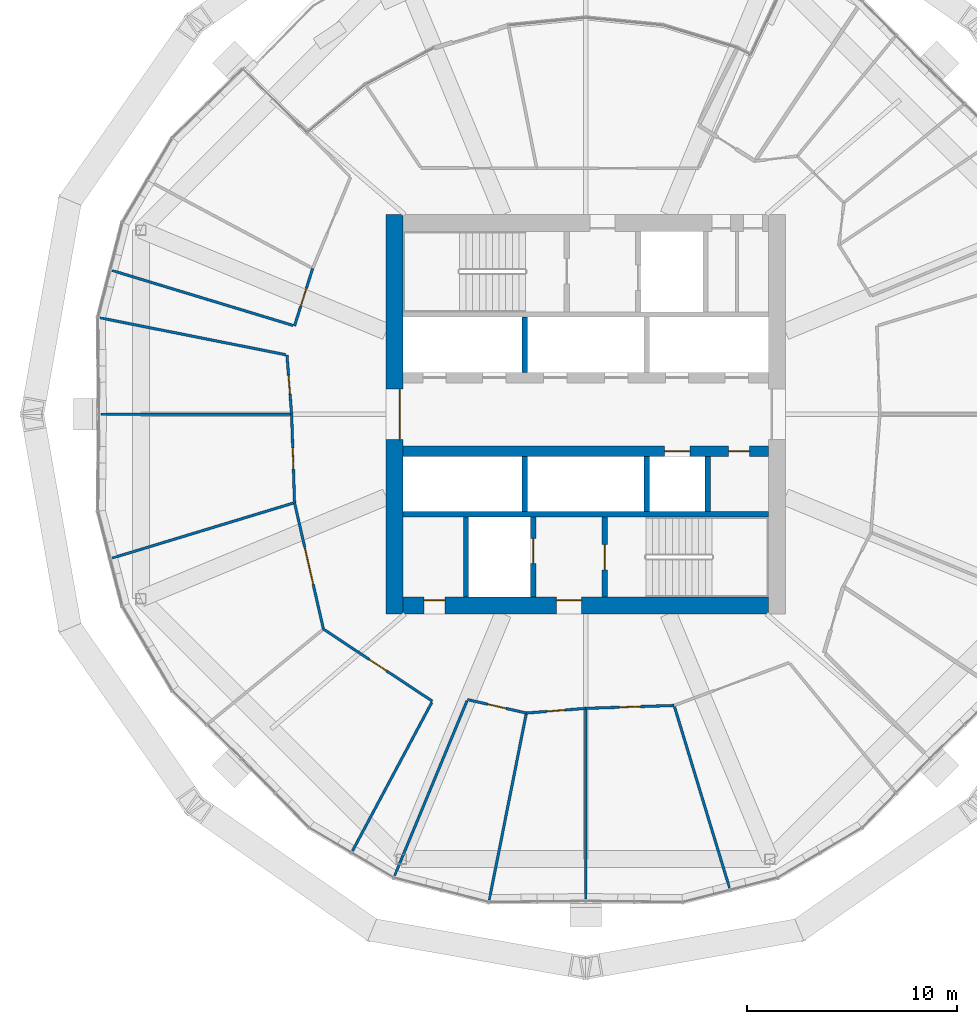
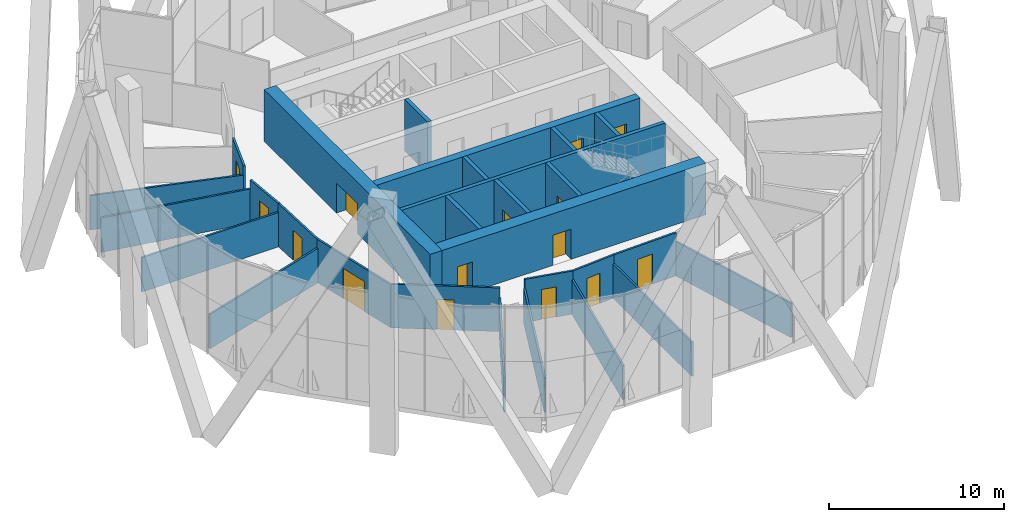
# One storey, part 22 of 31: 28 walls, 15 doors, 15 openings.
"""IFC4 building model written with IfcOpenShell, lengths in metres."""

import ifcopenshell
import ifcopenshell.guid

model = None  # the IFC model being written
_history = None  # IfcOwnerHistory: only IFC2X3 demands one
_inside = {}  # id of a spatial element -> (the spatial element, [elements in it])
_under = {}  # id of a project, library or spatial element -> (it, [spatial elements below it])
_declared = {}  # id of a project -> (the project, [libraries it declares])
_typed = {}  # id of a type object -> (the type object, [elements of that type])
_made_of = {}  # id of a material, layer set ... -> (it, [elements and type objects made of it])


def new_model(schema):
    """Start an empty IFC model of exactly this schema.

    Asked for "IFC4X3", IfcOpenShell would pick the latest addendum, in which some entities
    have other attributes; the version numbers below select the first issue.
    IFC2X3 requires an IfcOwnerHistory on every rooted entity: one is made here for all.
    """
    global model, _history
    if schema == "IFC4X3":
        model = ifcopenshell.file(schema_version=(4, 3, 0, 0))
    else:
        model = ifcopenshell.file(schema=schema)
    _inside.clear()
    _under.clear()
    _declared.clear()
    _typed.clear()
    _made_of.clear()
    _history = None
    if model.schema == "IFC2X3":
        org = make("IfcOrganization", Name="unknown")
        user = make(
            "IfcPersonAndOrganization",
            ThePerson=make("IfcPerson", FamilyName="unknown"),
            TheOrganization=org,
        )
        app = make(
            "IfcApplication",
            ApplicationDeveloper=org,
            Version="unknown",
            ApplicationFullName="unknown",
            ApplicationIdentifier="unknown",
        )
        _history = make(
            "IfcOwnerHistory",
            OwningUser=user,
            OwningApplication=app,
            ChangeAction="ADDED",
            CreationDate=0,
        )
    return model


def make(cls, **values):
    """One entity of the class cls with the attributes given. An attribute that is None is left unset."""
    return model.create_entity(
        cls, **{name: value for name, value in values.items() if value is not None}
    )


def rooted(cls, **values):
    """An entity with a GlobalId (a new one), such as an element, a storey or a relation."""
    return make(cls, GlobalId=ifcopenshell.guid.new(), OwnerHistory=_history, **values)


def si_unit(unit_type, name, prefix=None):
    """IfcSIUnit, for example si_unit("LENGTHUNIT", "METRE", prefix="MILLI")."""
    return make("IfcSIUnit", UnitType=unit_type, Prefix=prefix, Name=name)


def assignment(units):
    """IfcUnitAssignment: the units of a project."""
    return None if units is None else make("IfcUnitAssignment", Units=units)


def point(xyz):
    """IfcCartesianPoint."""
    return None if xyz is None else make("IfcCartesianPoint", Coordinates=xyz)


def direction(xyz):
    """IfcDirection."""
    return None if xyz is None else make("IfcDirection", DirectionRatios=xyz)


def frame(location, z_axis=None, x_axis=None):
    """IfcAxis2Placement3D, a coordinate frame: its origin and axes. An axis left out is left unset."""
    return make(
        "IfcAxis2Placement3D",
        Location=point(location),
        Axis=direction(z_axis),
        RefDirection=direction(x_axis),
    )


def frame_2d(location, x_axis=None):
    """IfcAxis2Placement2D, a coordinate frame in the plane: its origin and x axis."""
    return make(
        "IfcAxis2Placement2D", Location=point(location), RefDirection=direction(x_axis)
    )


def origin():
    """The frame at (0, 0, 0) with its axes left unset."""
    return frame((0.0, 0.0, 0.0))


def place(relative_to, where):
    """IfcLocalPlacement: puts the frame where relative to a parent placement (None: the world)."""
    return make(
        "IfcLocalPlacement", PlacementRelTo=relative_to, RelativePlacement=where
    )


def context(
    kind, dimensions, precision=None, world=None, true_north=None, identifier=None
):
    """IfcGeometricRepresentationContext, for example the 3D "Model" context."""
    return make(
        "IfcGeometricRepresentationContext",
        ContextIdentifier=identifier,
        ContextType=kind,
        CoordinateSpaceDimension=dimensions,
        Precision=precision,
        WorldCoordinateSystem=world,
        TrueNorth=true_north,
    )


def subcontext(parent, identifier, kind, view, scale=None):
    """IfcGeometricRepresentationSubContext, for example "Body" below "Model"."""
    return make(
        "IfcGeometricRepresentationSubContext",
        ContextIdentifier=identifier,
        ContextType=kind,
        ParentContext=parent,
        TargetScale=scale,
        TargetView=view,
    )


def project(units=None, contexts=None):
    """IfcProject with its units and contexts."""
    return rooted(
        "IfcProject",
        Name="project",
        RepresentationContexts=contexts,
        UnitsInContext=assignment(units),
    )


def spatial(cls, under=None, at=None, **own):
    """A site, building, storey or space (cls), placed at a placement, below another one or the project."""
    s = rooted(cls, ObjectPlacement=at, **own)
    if under is not None:
        _under.setdefault(under.id(), (under, []))[1].append(s)
    return s


def profile(cls, at=None, kind="AREA", **sizes):
    """A parametric profile (cls). Its sizes go by their IFC names, for example OverallWidth=200.0."""
    return make(cls, ProfileType=kind, Position=at, **sizes)


def rectangle(**sizes):
    """IfcRectangleProfileDef."""
    return profile("IfcRectangleProfileDef", **sizes)


def extrude(swept, where, along, depth):
    """IfcExtrudedAreaSolid: the profile swept, set in the frame where, extruded along a direction by depth."""
    return make(
        "IfcExtrudedAreaSolid",
        SweptArea=swept,
        Position=where,
        ExtrudedDirection=direction(along),
        Depth=depth,
    )


def shape(context_of_items, identifier, shape_type, items):
    """IfcShapeRepresentation: the items that make up one representation, for example the "Body"."""
    return make(
        "IfcShapeRepresentation",
        ContextOfItems=context_of_items,
        RepresentationIdentifier=identifier,
        RepresentationType=shape_type,
        Items=items,
    )


def material(Name=None, Category=None):
    """IfcMaterial."""
    return make("IfcMaterial", Name=Name, Category=Category)


def layer(
    of_material, thickness, ventilated=None, Name=None, Category=None, Priority=None
):
    """IfcMaterialLayer: one layer of a wall or slab, of a material (None: an air gap)."""
    return make(
        "IfcMaterialLayer",
        Material=of_material,
        LayerThickness=thickness,
        IsVentilated=ventilated,
        Name=Name,
        Category=Category,
        Priority=Priority,
    )


def layer_set(layers, Name=None):
    """IfcMaterialLayerSet."""
    return make("IfcMaterialLayerSet", MaterialLayers=layers, LayerSetName=Name)


def made_of(thing, what):
    """Note that an element or type object is made of a material, layer set ...; save() writes the relation."""
    if what is not None:
        _made_of.setdefault(what.id(), (what, []))[1].append(thing)
    return thing


def type_object(cls, material=None, **own):
    """A type object (cls), such as IfcWallType, which elements share."""
    return made_of(rooted(cls, **own), material)


def element(
    cls,
    number,
    at=None,
    inside=None,
    cuts=None,
    type_object=None,
    material=None,
    context=None,
    identifier="Body",
    shape_type=None,
    held_by="IfcProductDefinitionShape",
    body=None,
    shapes=None,
    **own,
):
    """One element of the class cls, such as IfcWall. Its Tag is "e" and its number.

    at: its placement. inside: the storey or other place that contains it. cuts: it is an
    opening in that element (IfcRelVoidsElement). A single representation is given by context,
    identifier, shape_type and body (its items); several are given by shapes. held_by: the class
    of the entity that holds the representations. save() writes the other relations.
    """
    e = rooted(cls, Tag="e%d" % number, ObjectPlacement=at, **own)
    if body is not None:
        shapes = [shape(context, identifier, shape_type, body)]
    if shapes is not None:
        e.Representation = make(held_by, Representations=shapes)
    if inside is not None:
        _inside.setdefault(inside.id(), (inside, []))[1].append(e)
    if cuts is not None:
        rooted(
            "IfcRelVoidsElement", RelatingBuildingElement=cuts, RelatedOpeningElement=e
        )
    if type_object is not None:
        _typed.setdefault(type_object.id(), (type_object, []))[1].append(e)
    return made_of(e, material)


def fill(opening, filler):
    """IfcRelFillsElement: the door or window that sits in an opening."""
    return rooted(
        "IfcRelFillsElement",
        RelatingOpeningElement=opening,
        RelatedBuildingElement=filler,
    )


def aggregate(whole, parts):
    """IfcRelAggregates: a whole, such as a stair, and the parts it consists of."""
    return rooted("IfcRelAggregates", RelatingObject=whole, RelatedObjects=parts)


def save(model, path):
    """Write the relations noted so far, then the file.

    IfcRelAggregates (storeys below a building ...), IfcRelContainedInSpatialStructure (elements
    in a storey), IfcRelDefinesByType, IfcRelAssociatesMaterial and IfcRelDeclares: one each for
    every whole, place, type object, material and project.
    """
    for whole, parts in _under.values():
        aggregate(whole, parts)
    for where, things in _inside.values():
        rooted(
            "IfcRelContainedInSpatialStructure",
            RelatedElements=things,
            RelatingStructure=where,
        )
    for kind, things in _typed.values():
        rooted("IfcRelDefinesByType", RelatedObjects=things, RelatingType=kind)
    for what, things in _made_of.values():
        rooted("IfcRelAssociatesMaterial", RelatedObjects=things, RelatingMaterial=what)
    for by, libraries in _declared.values():
        rooted("IfcRelDeclares", RelatingContext=by, RelatedDefinitions=libraries)
    model.write(path)


model = new_model("IFC4")

# Units and contexts
model_context = context("Model", 3, precision=1e-05, world=origin(), true_north=direction((0.0, 1.0)))
body_context = subcontext(model_context, "Body", "Model", "MODEL_VIEW")
ifc_project = project(units=[si_unit("LENGTHUNIT", "METRE"), si_unit("AREAUNIT", "SQUARE_METRE"), si_unit("VOLUMEUNIT", "CUBIC_METRE"), si_unit("PLANEANGLEUNIT", "RADIAN"), si_unit("MASSUNIT", "GRAM", prefix="KILO")], contexts=[model_context])

# Site, building, storey
site_placement = place(None, origin())
site = spatial("IfcSite", under=ifc_project, at=site_placement, CompositionType="ELEMENT")
building_placement = place(site_placement, origin())
building = spatial("IfcBuilding", under=site, at=building_placement, Name="Ogive Gate Towers", CompositionType="ELEMENT")
storey_placement = place(building_placement, frame((0.0, 0.0, 55.800048828125)))
storey = spatial("IfcBuildingStorey", under=building, at=storey_placement, Name="L12", CompositionType="ELEMENT", Elevation=55.800048828125)

# Wall, openings, doors
ifc_material_1 = material(Name="Concrete C60/75", Category="concrete")
ifc_layer_1 = layer(ifc_material_1, 0.800048828125)
ifc_layer_set_1 = layer_set([ifc_layer_1], Name="Core wall 800 mm")
wall_type_1 = type_object("IfcWallType", Name="Core wall 800 mm", PredefinedType="SHEAR", material=ifc_layer_set_1)
wall_1_placement = place(storey_placement, frame((-44.699951171875, -9.10009765625, 0.0), z_axis=(0.0, 0.0, 1.0), x_axis=(1.0, 0.0, 0.0)))
wall_1 = element("IfcWall", 1, at=wall_1_placement, inside=storey, type_object=wall_type_1, Name="T1 L12 Core wall 800 mm", PredefinedType="SHEAR", context=body_context, shape_type="SweptSolid", body=[
    extrude(rectangle(XDim=17.39990234375, YDim=0.800048828125, at=frame_2d((8.699951171875, 0.0))), origin(), (0.0, 0.0, 1.0), 3.599853515625),
])
opening_1_placement = place(wall_1_placement, frame((7.300048828125, 0.0, 0.0)))
opening_1 = element("IfcOpeningElement", 2, at=opening_1_placement, cuts=wall_1, Name="Opening KD-T1-L12-16", PredefinedType="OPENING", context=body_context, shape_type="SweptSolid", body=[
    extrude(rectangle(XDim=1.199951171875, YDim=2.10009765625, at=frame_2d((0.60009765625, 1.050048828125))), frame((0.0, 0.41015625, 0.0), z_axis=(0.0, -1.0, 0.0), x_axis=(1.0, 0.0, 0.0)), (0.0, 0.0, 1.0), 0.820068359375),
])
opening_2_placement = place(wall_1_placement, frame((1.0, 0.0, 0.0)))
opening_2 = element("IfcOpeningElement", 3, at=opening_2_placement, cuts=wall_1, Name="Opening KD-T1-L12-19", PredefinedType="OPENING", context=body_context, shape_type="SweptSolid", body=[
    extrude(rectangle(XDim=1.0, YDim=2.10009765625, at=frame_2d((0.5, 1.050048828125))), frame((0.0, 0.41015625, 0.0), z_axis=(0.0, -1.0, 0.0), x_axis=(1.0, 0.0, 0.0)), (0.0, 0.0, 1.0), 0.820068359375),
])
ifc_material_2 = material(Name="Timber door", Category="wood")
door_type_1 = type_object("IfcDoorType", Name="Accessible WC door 1000 x 2100", OperationType="NOTDEFINED", PredefinedType="DOOR", material=ifc_material_2)
door_1_placement = place(opening_2_placement, origin())
door_1 = element("IfcDoor", 4, at=door_1_placement, inside=storey, type_object=door_type_1, Name="T1 L12 Core door", OperationType="SINGLE_SWING_RIGHT", OverallHeight=2.10009765625, OverallWidth=1.0, PredefinedType="DOOR", context=body_context, shape_type="SweptSolid", body=[
    extrude(rectangle(XDim=1.0, YDim=2.10009765625, at=frame_2d((0.5, 1.050048828125))), frame((0.0, 0.27490234375, 0.0), z_axis=(0.0, -1.0, 0.0), x_axis=(1.0, 0.0, 0.0)), (0.0, 0.0, 1.0), 0.050048828125),
])
fill(opening_2, door_1)
ifc_material_3 = material(Name="Steel fire door", Category="steel")
door_type_2 = type_object("IfcDoorType", Name="Core door FD60S 1200 x 2100", OperationType="NOTDEFINED", PredefinedType="DOOR", material=ifc_material_3)
door_2_placement = place(opening_1_placement, origin())
door_2 = element("IfcDoor", 5, at=door_2_placement, inside=storey, type_object=door_type_2, Name="T1 L12 Fire-fighting lobby door", OperationType="SINGLE_SWING_LEFT", OverallHeight=2.10009765625, OverallWidth=1.199951171875, PredefinedType="DOOR", context=body_context, shape_type="SweptSolid", body=[
    extrude(rectangle(XDim=1.199951171875, YDim=2.10009765625, at=frame_2d((0.60009765625, 1.050048828125))), frame((0.0, 0.27490234375, 0.0), z_axis=(0.0, -1.0, 0.0), x_axis=(1.0, 0.0, 0.0)), (0.0, 0.0, 1.0), 0.050048828125),
])
fill(opening_1, door_2)

# Wall, opening, door
wall_2_placement = place(storey_placement, frame((-45.10009765625, -9.5, 0.0), z_axis=(0.0, 0.0, 1.0), x_axis=(0.0, 1.0, 0.0)))
wall_2 = element("IfcWall", 6, at=wall_2_placement, inside=storey, type_object=wall_type_1, Name="T1 L12 Core wall 800 mm", PredefinedType="SHEAR", context=body_context, shape_type="SweptSolid", body=[
    extrude(rectangle(XDim=19.0, YDim=0.800048828125, at=frame_2d((9.5, 0.0))), origin(), (0.0, 0.0, 1.0), 3.599853515625),
])
opening_3_placement = place(wall_2_placement, frame((8.300048828125, 0.0, 0.0)))
opening_3 = element("IfcOpeningElement", 7, at=opening_3_placement, cuts=wall_2, Name="Opening KD-T1-L12-01", PredefinedType="OPENING", context=body_context, shape_type="SweptSolid", body=[
    extrude(rectangle(XDim=2.39990234375, YDim=2.10009765625, at=frame_2d((1.199951171875, 1.050048828125))), frame((0.0, 0.41015625, 0.0), z_axis=(0.0, -1.0, 0.0), x_axis=(1.0, 0.0, 0.0)), (0.0, 0.0, 1.0), 0.820068359375),
])
door_type_3 = type_object("IfcDoorType", Name="Core double door FD60S 2400 x 2100", OperationType="DOUBLE_DOOR_SINGLE_SWING", PredefinedType="DOOR", material=ifc_material_3)
door_3_placement = place(opening_3_placement, origin())
door_3 = element("IfcDoor", 8, at=door_3_placement, inside=storey, type_object=door_type_3, Name="T1 L12 Core door double", OperationType="DOUBLE_DOOR_SINGLE_SWING", OverallHeight=2.10009765625, OverallWidth=2.39990234375, PredefinedType="DOOR", context=body_context, shape_type="SweptSolid", body=[
    extrude(rectangle(XDim=2.39990234375, YDim=2.10009765625, at=frame_2d((1.199951171875, 1.050048828125))), frame((0.0, -0.22509765625, 0.0), z_axis=(0.0, -1.0, 0.0), x_axis=(1.0, 0.0, 0.0)), (0.0, 0.0, 1.0), 0.050048828125),
])
fill(opening_3, door_3)

# Walls
ifc_material_4 = material(Name="Gypsum board partition")
ifc_layer_2 = layer(ifc_material_4, 0.125)
ifc_layer_set_2 = layer_set([ifc_layer_2], Name="Partition 125")
wall_type_2 = type_object("IfcWallType", Name="Partition 125", PredefinedType="PARTITIONING", material=ifc_layer_set_2)
for number, where, z_axis, x_axis, name in (
    (9, (-58.529541015625, 6.840576171875, 0.0), (0.0, 0.0, 1.0), (0.956863756585, -0.290537005102, 0.0), "Partition T1-L12-014"),
    (10, (-59.1083984375, 4.5888671875, 0.0), (0.0, 0.0, 1.0), (0.980849776387, -0.194765798235, 0.0), "Partition T1-L12-015"),
):
    element("IfcWall", number, at=place(storey_placement, frame(where, z_axis=z_axis, x_axis=x_axis)), inside=storey, type_object=wall_type_2, Name=name, PredefinedType="PARTITIONING", context=body_context, shape_type="SweptSolid", body=[
        extrude(rectangle(XDim=9.00634765625, YDim=0.125, at=frame_2d((4.503173828125, 0.0))), origin(), (0.0, 0.0, 1.0), 2.39990234375),
    ])
wall_3_placement = place(storey_placement, frame((-59.05908203125, 0.0, 0.0), z_axis=(0.0, 0.0, 1.0), x_axis=(1.0, 0.0, 0.0)))
element("IfcWall", 11, at=wall_3_placement, inside=storey, type_object=wall_type_2, Name="Partition T1-L12-016", PredefinedType="PARTITIONING", context=body_context, shape_type="SweptSolid", body=[
    extrude(rectangle(XDim=9.006591796875, YDim=0.125, at=frame_2d((4.50341796875, 0.0))), origin(), (0.0, 0.0, 1.0), 2.39990234375),
])
wall_4_placement = place(storey_placement, frame((-58.529541015625, -6.840576171875, 0.0), z_axis=(0.0, 0.0, 1.0), x_axis=(0.956863756585, 0.290537005102, 0.0)))
element("IfcWall", 12, at=wall_4_placement, inside=storey, type_object=wall_type_2, Name="Partition T1-L12-017", PredefinedType="PARTITIONING", context=body_context, shape_type="SweptSolid", body=[
    extrude(rectangle(XDim=9.00634765625, YDim=0.125, at=frame_2d((4.503173828125, 0.0))), origin(), (0.0, 0.0, 1.0), 2.39990234375),
])
wall_5_placement = place(storey_placement, frame((-47.09375, -20.767578125, 0.0), z_axis=(0.0, 0.0, 1.0), x_axis=(0.471189559969, 0.882031971402, 0.0)))
element("IfcWall", 13, at=wall_5_placement, inside=storey, type_object=wall_type_2, Name="Partition T1-L12-019", PredefinedType="PARTITIONING", context=body_context, shape_type="SweptSolid", body=[
    extrude(rectangle(XDim=8.00634765625, YDim=0.125, at=frame_2d((4.003173828125, 0.0))), origin(), (0.0, 0.0, 1.0), 2.39990234375),
])
for number, where, z_axis, x_axis, name in (
    (14, (-45.092529296875, -21.951416015625, 0.0), (0.0, 0.0, 1.0), (0.382678188575, 0.923881704543, 0.0), "Partition T1-L12-020"),
    (15, (-40.5888671875, -23.1083984375, 0.0), (0.0, 0.0, 1.0), (0.194765798235, 0.980849776387, 0.0), "Partition T1-L12-021"),
):
    element("IfcWall", number, at=place(storey_placement, frame(where, z_axis=z_axis, x_axis=x_axis)), inside=storey, type_object=wall_type_2, Name=name, PredefinedType="PARTITIONING", context=body_context, shape_type="SweptSolid", body=[
        extrude(rectangle(XDim=9.00634765625, YDim=0.125, at=frame_2d((4.503173828125, 0.0))), origin(), (0.0, 0.0, 1.0), 2.39990234375),
    ])
wall_6_placement = place(storey_placement, frame((-36.0, -23.05908203125, 0.0), z_axis=(0.0, 0.0, 1.0), x_axis=(0.0, 1.0, 0.0)))
element("IfcWall", 16, at=wall_6_placement, inside=storey, type_object=wall_type_2, Name="Partition T1-L12-022", PredefinedType="PARTITIONING", context=body_context, shape_type="SweptSolid", body=[
    extrude(rectangle(XDim=9.006591796875, YDim=0.125, at=frame_2d((4.50341796875, 0.0))), origin(), (0.0, 0.0, 1.0), 2.39990234375),
])
wall_7_placement = place(storey_placement, frame((-29.159423828125, -22.529541015625, 0.0), z_axis=(0.0, 0.0, 1.0), x_axis=(-0.290537005102, 0.956863756585, 0.0)))
element("IfcWall", 17, at=wall_7_placement, inside=storey, type_object=wall_type_2, Name="Partition T1-L12-023", PredefinedType="PARTITIONING", context=body_context, shape_type="SweptSolid", body=[
    extrude(rectangle(XDim=9.00634765625, YDim=0.125, at=frame_2d((4.503173828125, 0.0))), origin(), (0.0, 0.0, 1.0), 2.39990234375),
])

# Wall, opening, door
wall_8_placement = place(storey_placement, frame((-49.851806640625, 4.205810546875, 0.0), z_axis=(0.0, 0.0, 1.0), x_axis=(0.301082438892, 0.953598115031, 0.0)))
wall_8 = element("IfcWall", 18, at=wall_8_placement, inside=storey, type_object=wall_type_2, Name="Partition T1-L12-028", PredefinedType="PARTITIONING", context=body_context, shape_type="SweptSolid", body=[
    extrude(rectangle(XDim=2.86572265625, YDim=0.125, at=frame_2d((1.432861328125, 0.0))), origin(), (0.0, 0.0, 1.0), 3.010009765625),
])
opening_4_placement = place(wall_8_placement, frame((0.98291015625, 0.0, 0.0)))
opening_4 = element("IfcOpeningElement", 19, at=opening_4_placement, cuts=wall_8, Name="Opening T1-L12-D01", PredefinedType="OPENING", context=body_context, shape_type="SweptSolid", body=[
    extrude(rectangle(XDim=0.89990234375, YDim=2.10009765625, at=frame_2d((0.449951171875, 1.050048828125))), frame((0.0, 0.072509765625, 0.0), z_axis=(0.0, -1.0, 0.0), x_axis=(1.0, 0.0, 0.0)), (0.0, 0.0, 1.0), 0.14501953125),
])
door_type_4 = type_object("IfcDoorType", Name="Door 900", OperationType="NOTDEFINED", PredefinedType="DOOR", material=ifc_material_2)
door_4_placement = place(opening_4_placement, origin())
door_4 = element("IfcDoor", 20, at=door_4_placement, inside=storey, type_object=door_type_4, Name="Door T1-L12-D01", OperationType="SINGLE_SWING_LEFT", OverallHeight=2.10009765625, OverallWidth=0.89990234375, PredefinedType="DOOR", context=body_context, shape_type="SweptSolid", body=[
    extrude(rectangle(XDim=0.89990234375, YDim=2.10009765625, at=frame_2d((0.449951171875, 1.050048828125))), frame((0.0, 0.02490234375, 0.0), z_axis=(0.0, -1.0, 0.0), x_axis=(1.0, 0.0, 0.0)), (0.0, 0.0, 1.0), 0.050048828125),
])
fill(opening_4, door_4)

wall_9_placement = place(storey_placement, frame((-31.794189453125, -13.851806640625, 0.0), z_axis=(0.0, 0.0, 1.0), x_axis=(-0.999460697883, -0.032837682417, 0.0)))
wall_9 = element("IfcWall", 21, at=wall_9_placement, inside=storey, type_object=wall_type_2, Name="Partition T1-L12-042", PredefinedType="PARTITIONING", context=body_context, shape_type="SweptSolid", body=[
    extrude(rectangle(XDim=4.2080078125, YDim=0.125, at=frame_2d((2.10400390625, 0.0))), origin(), (0.0, 0.0, 1.0), 3.0),
])
opening_5_placement = place(wall_9_placement, frame((1.60400390625, 0.0, 0.0)))
opening_5 = element("IfcOpeningElement", 22, at=opening_5_placement, cuts=wall_9, Name="Opening T1-L12-D15", PredefinedType="OPENING", context=body_context, shape_type="SweptSolid", body=[
    extrude(rectangle(XDim=1.0, YDim=2.10009765625, at=frame_2d((0.5, 1.050048828125))), frame((0.0, 0.072509765625, 0.0), z_axis=(0.0, -1.0, 0.0), x_axis=(1.0, 0.0, 0.0)), (0.0, 0.0, 1.0), 0.14501953125),
])
door_type_5 = type_object("IfcDoorType", Name="Door 1000", OperationType="NOTDEFINED", PredefinedType="DOOR", material=ifc_material_2)
door_5_placement = place(opening_5_placement, origin())
door_5 = element("IfcDoor", 23, at=door_5_placement, inside=storey, type_object=door_type_5, Name="Door T1-L12-D15", OperationType="SINGLE_SWING_RIGHT", OverallHeight=2.10009765625, OverallWidth=1.0, PredefinedType="DOOR", context=body_context, shape_type="SweptSolid", body=[
    extrude(rectangle(XDim=1.0, YDim=2.10009765625, at=frame_2d((0.5, 1.050048828125))), frame((0.0, 0.02490234375, 0.0), z_axis=(0.0, -1.0, 0.0), x_axis=(1.0, 0.0, 0.0)), (0.0, 0.0, 1.0), 0.050048828125),
])
fill(opening_5, door_5)

wall_10_placement = place(storey_placement, frame((-36.0, -13.989990234375, 0.0), z_axis=(0.0, 0.0, 1.0), x_axis=(-0.996889418777, -0.078812985794, 0.0)))
wall_10 = element("IfcWall", 24, at=wall_10_placement, inside=storey, type_object=wall_type_2, Name="Partition T1-L12-043", PredefinedType="PARTITIONING", context=body_context, shape_type="SweptSolid", body=[
    extrude(rectangle(XDim=2.831298828125, YDim=0.125, at=frame_2d((1.41552734375, 0.0))), origin(), (0.0, 0.0, 1.0), 3.0),
])
opening_6_placement = place(wall_10_placement, frame((0.966064453125, 0.0, 0.0)))
opening_6 = element("IfcOpeningElement", 25, at=opening_6_placement, cuts=wall_10, Name="Opening T1-L12-D16", PredefinedType="OPENING", context=body_context, shape_type="SweptSolid", body=[
    extrude(rectangle(XDim=0.89990234375, YDim=2.10009765625, at=frame_2d((0.449951171875, 1.050048828125))), frame((0.0, 0.072509765625, 0.0), z_axis=(0.0, -1.0, 0.0), x_axis=(1.0, 0.0, 0.0)), (0.0, 0.0, 1.0), 0.14501953125),
])
door_6_placement = place(opening_6_placement, origin())
door_6 = element("IfcDoor", 26, at=door_6_placement, inside=storey, type_object=door_type_4, Name="Door T1-L12-D16", OperationType="SINGLE_SWING_LEFT", OverallHeight=2.10009765625, OverallWidth=0.89990234375, PredefinedType="DOOR", context=body_context, shape_type="SweptSolid", body=[
    extrude(rectangle(XDim=0.89990234375, YDim=2.10009765625, at=frame_2d((0.449951171875, 1.050048828125))), frame((0.0, 0.02490234375, 0.0), z_axis=(0.0, -1.0, 0.0), x_axis=(1.0, 0.0, 0.0)), (0.0, 0.0, 1.0), 0.050048828125),
])
fill(opening_6, door_6)

wall_11_placement = place(storey_placement, frame((-38.822509765625, -14.213134765625, 0.0), z_axis=(0.0, 0.0, 1.0), x_axis=(-0.974822088504, 0.22298407065, 0.0)))
wall_11 = element("IfcWall", 27, at=wall_11_placement, inside=storey, type_object=wall_type_2, Name="Partition T1-L12-044", PredefinedType="PARTITIONING", context=body_context, shape_type="SweptSolid", body=[
    extrude(rectangle(XDim=2.871826171875, YDim=0.125, at=frame_2d((1.43603515625, 0.0))), origin(), (0.0, 0.0, 1.0), 3.010009765625),
])
opening_7_placement = place(wall_11_placement, frame((0.986083984375, 0.0, 0.0)))
opening_7 = element("IfcOpeningElement", 28, at=opening_7_placement, cuts=wall_11, Name="Opening T1-L12-D17", PredefinedType="OPENING", context=body_context, shape_type="SweptSolid", body=[
    extrude(rectangle(XDim=0.89990234375, YDim=2.10009765625, at=frame_2d((0.449951171875, 1.050048828125))), frame((0.0, 0.072509765625, 0.0), z_axis=(0.0, -1.0, 0.0), x_axis=(1.0, 0.0, 0.0)), (0.0, 0.0, 1.0), 0.14501953125),
])
door_7_placement = place(opening_7_placement, origin())
door_7 = element("IfcDoor", 29, at=door_7_placement, inside=storey, type_object=door_type_4, Name="Door T1-L12-D17", OperationType="SINGLE_SWING_RIGHT", OverallHeight=2.10009765625, OverallWidth=0.89990234375, PredefinedType="DOOR", context=body_context, shape_type="SweptSolid", body=[
    extrude(rectangle(XDim=0.89990234375, YDim=2.10009765625, at=frame_2d((0.449951171875, 1.050048828125))), frame((0.0, 0.02490234375, 0.0), z_axis=(0.0, -1.0, 0.0), x_axis=(1.0, 0.0, 0.0)), (0.0, 0.0, 1.0), 0.050048828125),
])
fill(opening_7, door_7)

wall_12_placement = place(storey_placement, frame((-43.2919921875, -13.650390625, 0.0), z_axis=(0.0, 0.0, 1.0), x_axis=(-0.833978718183, 0.551796608922, 0.0)))
wall_12 = element("IfcWall", 30, at=wall_12_placement, inside=storey, type_object=wall_type_2, Name="Partition T1-L12-045", PredefinedType="PARTITIONING", context=body_context, shape_type="SweptSolid", body=[
    extrude(rectangle(XDim=6.21630859375, YDim=0.125, at=frame_2d((3.108154296875, 0.0))), origin(), (0.0, 0.0, 1.0), 3.050048828125),
])
opening_8_placement = place(wall_12_placement, frame((2.60791015625, 0.0, 0.0)))
opening_8 = element("IfcOpeningElement", 31, at=opening_8_placement, cuts=wall_12, Name="Opening T1-L12-D18", PredefinedType="OPENING", context=body_context, shape_type="SweptSolid", body=[
    extrude(rectangle(XDim=1.0, YDim=2.10009765625, at=frame_2d((0.5, 1.050048828125))), frame((0.0, 0.072509765625, 0.0), z_axis=(0.0, -1.0, 0.0), x_axis=(1.0, 0.0, 0.0)), (0.0, 0.0, 1.0), 0.14501953125),
])
door_8_placement = place(opening_8_placement, origin())
door_8 = element("IfcDoor", 32, at=door_8_placement, inside=storey, type_object=door_type_5, Name="Door T1-L12-D18", OperationType="SINGLE_SWING_LEFT", OverallHeight=2.10009765625, OverallWidth=1.0, PredefinedType="DOOR", context=body_context, shape_type="SweptSolid", body=[
    extrude(rectangle(XDim=1.0, YDim=2.10009765625, at=frame_2d((0.5, 1.050048828125))), frame((0.0, 0.02490234375, 0.0), z_axis=(0.0, -1.0, 0.0), x_axis=(1.0, 0.0, 0.0)), (0.0, 0.0, 1.0), 0.050048828125),
])
fill(opening_8, door_8)

wall_13_placement = place(storey_placement, frame((-48.476318359375, -10.22021484375, 0.0), z_axis=(0.0, 0.0, 1.0), x_axis=(-0.222942990969, 0.974831484297, 0.0)))
wall_13 = element("IfcWall", 33, at=wall_13_placement, inside=storey, type_object=wall_type_2, Name="Partition T1-L12-046", PredefinedType="PARTITIONING", context=body_context, shape_type="SweptSolid", body=[
    extrude(rectangle(XDim=6.169677734375, YDim=0.125, at=frame_2d((3.0849609375, 0.0))), origin(), (0.0, 0.0, 1.0), 3.010009765625),
])
opening_9_placement = place(wall_13_placement, frame((2.18505859375, 0.0, 0.0)))
opening_9 = element("IfcOpeningElement", 34, at=opening_9_placement, cuts=wall_13, Name="Opening T1-L12-D19", PredefinedType="OPENING", context=body_context, shape_type="SweptSolid", body=[
    extrude(rectangle(XDim=1.800048828125, YDim=2.10009765625, at=frame_2d((0.89990234375, 1.050048828125))), frame((0.0, 0.072509765625, 0.0), z_axis=(0.0, -1.0, 0.0), x_axis=(1.0, 0.0, 0.0)), (0.0, 0.0, 1.0), 0.14501953125),
])
door_type_6 = type_object("IfcDoorType", Name="Door pair 1800", OperationType="NOTDEFINED", PredefinedType="DOOR", material=ifc_material_2)
door_9_placement = place(opening_9_placement, origin())
door_9 = element("IfcDoor", 35, at=door_9_placement, inside=storey, type_object=door_type_6, Name="Door T1-L12-D19", OperationType="DOUBLE_DOOR_DOUBLE_SWING", OverallHeight=2.10009765625, OverallWidth=1.800048828125, PredefinedType="DOOR", context=body_context, shape_type="SweptSolid", body=[
    extrude(rectangle(XDim=1.800048828125, YDim=2.10009765625, at=frame_2d((0.89990234375, 1.050048828125))), frame((0.0, 0.02490234375, 0.0), z_axis=(0.0, -1.0, 0.0), x_axis=(1.0, 0.0, 0.0)), (0.0, 0.0, 1.0), 0.050048828125),
])
fill(opening_9, door_9)

wall_14_placement = place(storey_placement, frame((-49.851806640625, -4.205810546875, 0.0), z_axis=(0.0, 0.0, 1.0), x_axis=(-0.032837682417, 0.999460697883, 0.0)))
wall_14 = element("IfcWall", 36, at=wall_14_placement, inside=storey, type_object=wall_type_2, Name="Partition T1-L12-047", PredefinedType="PARTITIONING", context=body_context, shape_type="SweptSolid", body=[
    extrude(rectangle(XDim=4.2080078125, YDim=0.125, at=frame_2d((2.10400390625, 0.0))), origin(), (0.0, 0.0, 1.0), 3.0),
])
opening_10_placement = place(wall_14_placement, frame((1.60400390625, 0.0, 0.0)))
opening_10 = element("IfcOpeningElement", 37, at=opening_10_placement, cuts=wall_14, Name="Opening T1-L12-D20", PredefinedType="OPENING", context=body_context, shape_type="SweptSolid", body=[
    extrude(rectangle(XDim=1.0, YDim=2.10009765625, at=frame_2d((0.5, 1.050048828125))), frame((0.0, 0.072509765625, 0.0), z_axis=(0.0, -1.0, 0.0), x_axis=(1.0, 0.0, 0.0)), (0.0, 0.0, 1.0), 0.14501953125),
])
door_10_placement = place(opening_10_placement, origin())
door_10 = element("IfcDoor", 38, at=door_10_placement, inside=storey, type_object=door_type_5, Name="Door T1-L12-D20", OperationType="SINGLE_SWING_RIGHT", OverallHeight=2.10009765625, OverallWidth=1.0, PredefinedType="DOOR", context=body_context, shape_type="SweptSolid", body=[
    extrude(rectangle(XDim=1.0, YDim=2.10009765625, at=frame_2d((0.5, 1.050048828125))), frame((0.0, 0.02490234375, 0.0), z_axis=(0.0, -1.0, 0.0), x_axis=(1.0, 0.0, 0.0)), (0.0, 0.0, 1.0), 0.050048828125),
])
fill(opening_10, door_10)

wall_15_placement = place(storey_placement, frame((-49.989990234375, 0.0, 0.0), z_axis=(0.0, 0.0, 1.0), x_axis=(-0.078812985794, 0.996889418777, 0.0)))
wall_15 = element("IfcWall", 39, at=wall_15_placement, inside=storey, type_object=wall_type_2, Name="Partition T1-L12-048", PredefinedType="PARTITIONING", context=body_context, shape_type="SweptSolid", body=[
    extrude(rectangle(XDim=2.831298828125, YDim=0.125, at=frame_2d((1.41552734375, 0.0))), origin(), (0.0, 0.0, 1.0), 3.0),
])
opening_11_placement = place(wall_15_placement, frame((0.966064453125, 0.0, 0.0)))
opening_11 = element("IfcOpeningElement", 40, at=opening_11_placement, cuts=wall_15, Name="Opening T1-L12-D21", PredefinedType="OPENING", context=body_context, shape_type="SweptSolid", body=[
    extrude(rectangle(XDim=0.89990234375, YDim=2.10009765625, at=frame_2d((0.449951171875, 1.050048828125))), frame((0.0, 0.072509765625, 0.0), z_axis=(0.0, -1.0, 0.0), x_axis=(1.0, 0.0, 0.0)), (0.0, 0.0, 1.0), 0.14501953125),
])
door_11_placement = place(opening_11_placement, origin())
door_11 = element("IfcDoor", 41, at=door_11_placement, inside=storey, type_object=door_type_4, Name="Door T1-L12-D21", OperationType="SINGLE_SWING_RIGHT", OverallHeight=2.10009765625, OverallWidth=0.89990234375, PredefinedType="DOOR", context=body_context, shape_type="SweptSolid", body=[
    extrude(rectangle(XDim=0.89990234375, YDim=2.10009765625, at=frame_2d((0.449951171875, 1.050048828125))), frame((0.0, 0.02490234375, 0.0), z_axis=(0.0, -1.0, 0.0), x_axis=(1.0, 0.0, 0.0)), (0.0, 0.0, 1.0), 0.050048828125),
])
fill(opening_11, door_11)

# Walls
ifc_layer_3 = layer(ifc_material_1, 0.25)
ifc_layer_set_3 = layer_set([ifc_layer_3], Name="Shaft wall 250 mm")
wall_type_3 = type_object("IfcWallType", Name="Shaft wall 250 mm", PredefinedType="SHEAR", material=ifc_layer_set_3)
wall_16_placement = place(storey_placement, frame((-44.699951171875, -4.75, 0.0), z_axis=(0.0, 0.0, 1.0), x_axis=(1.0, 0.0, 0.0)))
element("IfcWall", 42, at=wall_16_placement, inside=storey, type_object=wall_type_3, Name="T1 L12 Shaft wall 250 mm", PredefinedType="SHEAR", context=body_context, shape_type="SweptSolid", body=[
    extrude(rectangle(XDim=17.39990234375, YDim=0.25, at=frame_2d((8.699951171875, 0.0))), origin(), (0.0, 0.0, 1.0), 3.599853515625),
])
wall_17_placement = place(storey_placement, frame((-41.699951171875, -8.699951171875, 0.0), z_axis=(0.0, 0.0, 1.0), x_axis=(0.0, 1.0, 0.0)))
element("IfcWall", 43, at=wall_17_placement, inside=storey, type_object=wall_type_3, Name="T1 L12 Shaft wall 250 mm", PredefinedType="SHEAR", context=body_context, shape_type="SweptSolid", body=[
    extrude(rectangle(XDim=3.824951171875, YDim=0.25, at=frame_2d((1.91259765625, 0.0))), origin(), (0.0, 0.0, 1.0), 3.599853515625),
])
for number, where, z_axis, x_axis, name in (
    (44, (-38.89990234375, -4.625, 0.0), (0.0, 0.0, 1.0), (0.0, 1.0, 0.0), "T1 L12 Shaft wall 250 mm"),
    (45, (-38.89990234375, 2.0, 0.0), (0.0, 0.0, 1.0), (0.0, 1.0, 0.0), "T1 L12 Shaft wall 250 mm"),
):
    element("IfcWall", number, at=place(storey_placement, frame(where, z_axis=z_axis, x_axis=x_axis)), inside=storey, type_object=wall_type_3, Name=name, PredefinedType="SHEAR", context=body_context, shape_type="SweptSolid", body=[
        extrude(rectangle(XDim=2.625, YDim=0.25, at=frame_2d((1.3125, 0.0))), origin(), (0.0, 0.0, 1.0), 3.599853515625),
    ])

# Wall, opening, door
wall_18_placement = place(storey_placement, frame((-38.5, -8.699951171875, 0.0), z_axis=(0.0, 0.0, 1.0), x_axis=(0.0, 1.0, 0.0)))
wall_18 = element("IfcWall", 46, at=wall_18_placement, inside=storey, type_object=wall_type_3, Name="T1 L12 Shaft wall 250 mm", PredefinedType="SHEAR", context=body_context, shape_type="SweptSolid", body=[
    extrude(rectangle(XDim=3.824951171875, YDim=0.25, at=frame_2d((1.91259765625, 0.0))), origin(), (0.0, 0.0, 1.0), 3.599853515625),
])
opening_12_placement = place(wall_18_placement, frame((1.60009765625, 0.0, 0.0)))
opening_12 = element("IfcOpeningElement", 47, at=opening_12_placement, cuts=wall_18, Name="Opening LD-T1-L12-11", PredefinedType="OPENING", context=body_context, shape_type="SweptSolid", body=[
    extrude(rectangle(XDim=1.199951171875, YDim=2.10009765625, at=frame_2d((0.60009765625, 1.050048828125))), frame((0.0, 0.135009765625, 0.0), z_axis=(0.0, -1.0, 0.0), x_axis=(1.0, 0.0, 0.0)), (0.0, 0.0, 1.0), 0.27001953125),
])
ifc_material_5 = material(Name="Stainless steel landing door", Category="steel")
door_type_7 = type_object("IfcDoorType", Name="Landing door 1200 x 2100", OperationType="SLIDING_TO_LEFT", PredefinedType="DOOR", material=ifc_material_5)
door_12_placement = place(opening_12_placement, origin())
door_12 = element("IfcDoor", 48, at=door_12_placement, inside=storey, type_object=door_type_7, Name="T1 L12 Lift landing door FF2", OperationType="SLIDING_TO_LEFT", OverallHeight=2.10009765625, OverallWidth=1.199951171875, PredefinedType="DOOR", context=body_context, shape_type="SweptSolid", body=[
    extrude(rectangle(XDim=1.199951171875, YDim=2.10009765625, at=frame_2d((0.60009765625, 1.050048828125))), frame((0.0, 0.02490234375, 0.0), z_axis=(0.0, -1.0, 0.0), x_axis=(1.0, 0.0, 0.0)), (0.0, 0.0, 1.0), 0.050048828125),
])
fill(opening_12, door_12)

wall_19_placement = place(storey_placement, frame((-35.10009765625, -8.699951171875, 0.0), z_axis=(0.0, 0.0, 1.0), x_axis=(0.0, 1.0, 0.0)))
wall_19 = element("IfcWall", 49, at=wall_19_placement, inside=storey, type_object=wall_type_3, Name="T1 L12 Shaft wall 250 mm", PredefinedType="SHEAR", context=body_context, shape_type="SweptSolid", body=[
    extrude(rectangle(XDim=3.824951171875, YDim=0.25, at=frame_2d((1.91259765625, 0.0))), origin(), (0.0, 0.0, 1.0), 3.599853515625),
])
opening_13_placement = place(wall_19_placement, frame((1.300048828125, 0.0, 0.0)))
opening_13 = element("IfcOpeningElement", 50, at=opening_13_placement, cuts=wall_19, Name="Opening KD-T1-L12-14", PredefinedType="OPENING", context=body_context, shape_type="SweptSolid", body=[
    extrude(rectangle(XDim=1.199951171875, YDim=2.10009765625, at=frame_2d((0.60009765625, 1.050048828125))), frame((0.0, 0.135009765625, 0.0), z_axis=(0.0, -1.0, 0.0), x_axis=(1.0, 0.0, 0.0)), (0.0, 0.0, 1.0), 0.27001953125),
])
door_13_placement = place(opening_13_placement, origin())
door_13 = element("IfcDoor", 51, at=door_13_placement, inside=storey, type_object=door_type_2, Name="T1 L12 Stair door", OperationType="SINGLE_SWING_LEFT", OverallHeight=2.10009765625, OverallWidth=1.199951171875, PredefinedType="DOOR", context=body_context, shape_type="SweptSolid", body=[
    extrude(rectangle(XDim=1.199951171875, YDim=2.10009765625, at=frame_2d((0.60009765625, 1.050048828125))), frame((0.0, 0.02490234375, 0.0), z_axis=(0.0, -1.0, 0.0), x_axis=(1.0, 0.0, 0.0)), (0.0, 0.0, 1.0), 0.050048828125),
])
fill(opening_13, door_13)

# Walls
for number, where, z_axis, x_axis, name in (
    (52, (-33.10009765625, -4.625, 0.0), (0.0, 0.0, 1.0), (0.0, 1.0, 0.0), "T1 L12 Shaft wall 250 mm"),
    (53, (-30.199951171875, -4.625, 0.0), (0.0, 0.0, 1.0), (0.0, 1.0, 0.0), "T1 L12 Shaft wall 250 mm"),
):
    element("IfcWall", number, at=place(storey_placement, frame(where, z_axis=z_axis, x_axis=x_axis)), inside=storey, type_object=wall_type_3, Name=name, PredefinedType="SHEAR", context=body_context, shape_type="SweptSolid", body=[
        extrude(rectangle(XDim=2.625, YDim=0.25, at=frame_2d((1.3125, 0.0))), origin(), (0.0, 0.0, 1.0), 3.599853515625),
    ])

# Wall, openings, doors
ifc_layer_4 = layer(ifc_material_1, 0.5)
ifc_layer_set_4 = layer_set([ifc_layer_4], Name="Spine wall 500 mm")
wall_type_4 = type_object("IfcWallType", Name="Spine wall 500 mm", PredefinedType="SHEAR", material=ifc_layer_set_4)
wall_20_placement = place(storey_placement, frame((-44.699951171875, -1.75, 0.0), z_axis=(0.0, 0.0, 1.0), x_axis=(1.0, 0.0, 0.0)))
wall_20 = element("IfcWall", 54, at=wall_20_placement, inside=storey, type_object=wall_type_4, Name="T1 L12 Spine wall 500 mm", PredefinedType="SHEAR", context=body_context, shape_type="SweptSolid", body=[
    extrude(rectangle(XDim=17.39990234375, YDim=0.5, at=frame_2d((8.699951171875, 0.0))), origin(), (0.0, 0.0, 1.0), 3.599853515625),
])
opening_14_placement = place(wall_20_placement, frame((12.449951171875, 0.0, 0.0)))
opening_14 = element("IfcOpeningElement", 55, at=opening_14_placement, cuts=wall_20, Name="Opening LD-T1-L12-09", PredefinedType="OPENING", context=body_context, shape_type="SweptSolid", body=[
    extrude(rectangle(XDim=1.199951171875, YDim=2.10009765625, at=frame_2d((0.60009765625, 1.050048828125))), frame((0.0, 0.260009765625, 0.0), z_axis=(0.0, -1.0, 0.0), x_axis=(1.0, 0.0, 0.0)), (0.0, 0.0, 1.0), 0.52001953125),
])
opening_15_placement = place(wall_20_placement, frame((15.5, 0.0, 0.0)))
opening_15 = element("IfcOpeningElement", 56, at=opening_15_placement, cuts=wall_20, Name="Opening KD-T1-L12-12", PredefinedType="OPENING", context=body_context, shape_type="SweptSolid", body=[
    extrude(rectangle(XDim=1.0, YDim=2.10009765625, at=frame_2d((0.5, 1.050048828125))), frame((0.0, 0.260009765625, 0.0), z_axis=(0.0, -1.0, 0.0), x_axis=(1.0, 0.0, 0.0)), (0.0, 0.0, 1.0), 0.52001953125),
])
door_type_8 = type_object("IfcDoorType", Name="Core door FD60S 1000 x 2100", OperationType="NOTDEFINED", PredefinedType="DOOR", material=ifc_material_3)
door_14_placement = place(opening_15_placement, origin())
door_14 = element("IfcDoor", 57, at=door_14_placement, inside=storey, type_object=door_type_8, Name="T1 L12 Core door", OperationType="SINGLE_SWING_LEFT", OverallHeight=2.10009765625, OverallWidth=1.0, PredefinedType="DOOR", context=body_context, shape_type="SweptSolid", body=[
    extrude(rectangle(XDim=1.0, YDim=2.10009765625, at=frame_2d((0.5, 1.050048828125))), frame((0.0, 0.02490234375, 0.0), z_axis=(0.0, -1.0, 0.0), x_axis=(1.0, 0.0, 0.0)), (0.0, 0.0, 1.0), 0.050048828125),
])
fill(opening_15, door_14)
door_15_placement = place(opening_14_placement, origin())
door_15 = element("IfcDoor", 58, at=door_15_placement, inside=storey, type_object=door_type_7, Name="T1 L12 Lift landing door SVC", OperationType="SLIDING_TO_LEFT", OverallHeight=2.10009765625, OverallWidth=1.199951171875, PredefinedType="DOOR", context=body_context, shape_type="SweptSolid", body=[
    extrude(rectangle(XDim=1.199951171875, YDim=2.10009765625, at=frame_2d((0.60009765625, 1.050048828125))), frame((0.0, 0.02490234375, 0.0), z_axis=(0.0, -1.0, 0.0), x_axis=(1.0, 0.0, 0.0)), (0.0, 0.0, 1.0), 0.050048828125),
])
fill(opening_14, door_15)

save(model, "model.ifc")
